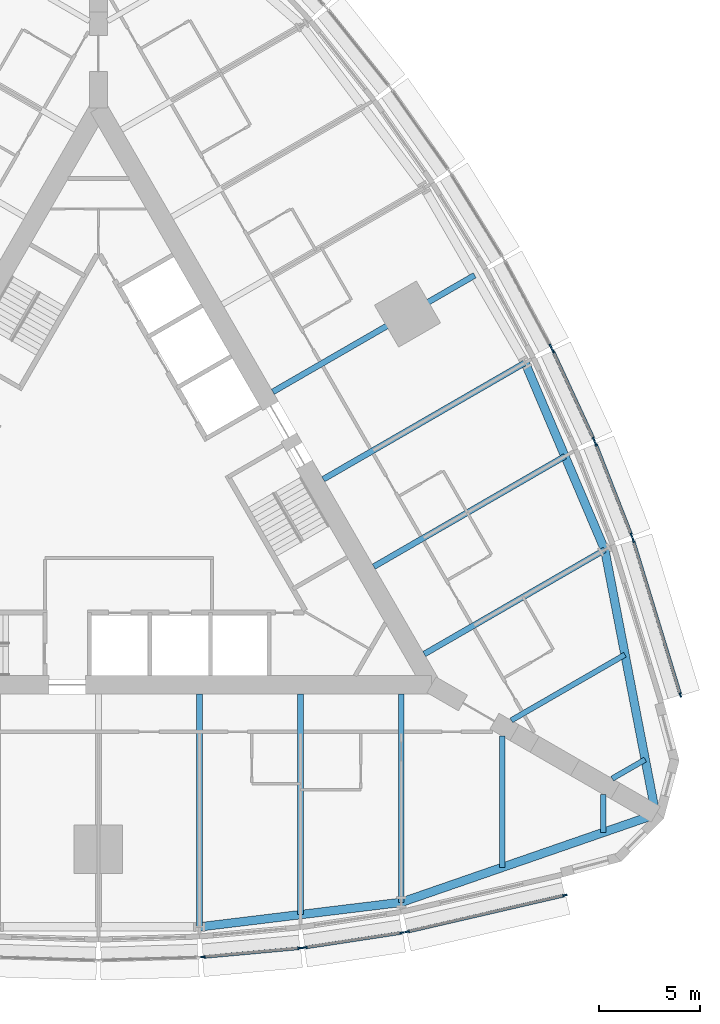
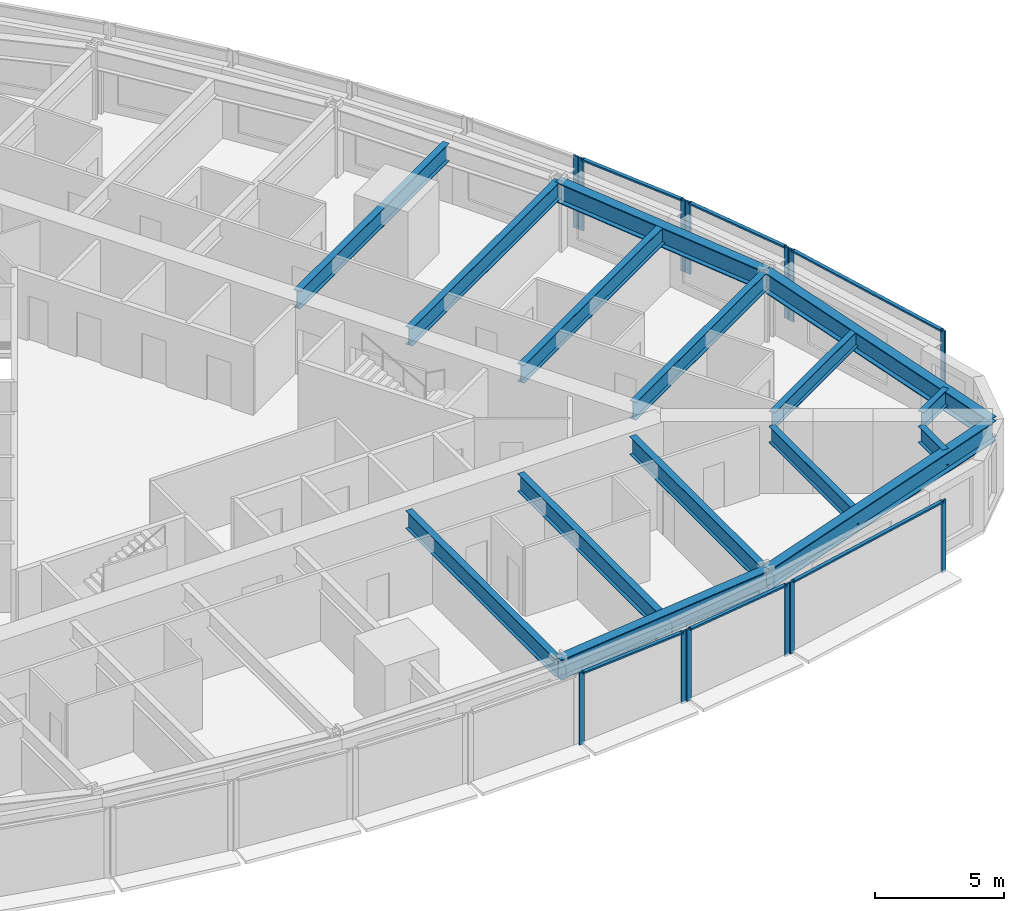
# One storey, part 3 of 14: 19 members, 15 beams, 7 elements without a shape of their own.
"""IFC4 building model written with IfcOpenShell, lengths in metres."""

from ifc_helpers import new_model, si_unit, direction, frame, origin, origin_2d, place, context, subcontext, project, spatial, rectangle, i_section, extrude, material, material_profile, profile_set, type_object, element, aggregate, save


model = new_model("IFC4")

# Units and contexts
model_context = context("Model", 3, precision=1e-05, world=origin(), true_north=direction((0.0, 1.0)))
body_context = subcontext(model_context, "Body", "Model", "MODEL_VIEW")
ifc_project = project(units=[si_unit("LENGTHUNIT", "METRE"), si_unit("AREAUNIT", "SQUARE_METRE"), si_unit("VOLUMEUNIT", "CUBIC_METRE"), si_unit("PLANEANGLEUNIT", "RADIAN"), si_unit("MASSUNIT", "GRAM", prefix="KILO")], contexts=[model_context])

# Site, building, storey
site_placement = place(None, origin())
site = spatial("IfcSite", under=ifc_project, at=site_placement, CompositionType="ELEMENT")
building_placement = place(site_placement, origin())
building = spatial("IfcBuilding", under=site, at=building_placement, Name="Trikona Tower", CompositionType="ELEMENT")
storey_placement = place(building_placement, frame((0.0, 0.0, 42.10009765625)))
storey = spatial("IfcBuildingStorey", under=building, at=storey_placement, Name="L09", CompositionType="ELEMENT", Elevation=42.10009765625)

# Curtain wall, members
ifc_material_1 = material(Name="Aluminium curtain wall system", Category="aluminium")
curtain_wall_type = type_object("IfcCurtainWallType", Name="Curtain wall DS1", PredefinedType="NOTDEFINED", material=ifc_material_1)
curtain_wall_1_placement = place(storey_placement, origin())
curtain_wall_1 = element("IfcCurtainWall", 1, at=curtain_wall_1_placement, inside=storey, type_object=curtain_wall_type, Name="Curtain wall DS1 L09", PredefinedType="NOTDEFINED")
ifc_material_2 = material(Name="Aluminium mullion, pale anodised", Category="aluminium")
ifc_material_profile_1 = material_profile(ifc_material_2, rectangle(XDim=0.080078125, YDim=0.219970703125, at=origin_2d()), Name="MUL-DS1")
ifc_profile_set_1 = profile_set([ifc_material_profile_1], Name="Aluminium mullion, pale anodised")
member_type_1 = type_object("IfcMemberType", Name="Mullion DS1 80x220", PredefinedType="MULLION", material=ifc_profile_set_1)
member_1_placement = place(storey_placement, frame((5.181396484375, -23.007568359375, 0.0), z_axis=(0.0, 0.0, 1.0), x_axis=(-0.090923932737, 0.995857840485, 0.0)))
member_1 = element("IfcMember", 2, at=member_1_placement, type_object=member_type_1, Name="CW-DS1 mullion 1", PredefinedType="MULLION", context=body_context, shape_type="SweptSolid", body=[
    extrude(rectangle(XDim=0.080078125, YDim=0.219970703125, at=origin_2d()), origin(), (0.0, 0.0, 1.0), 3.39990234375),
])
member_2_placement = place(storey_placement, frame((9.982177734375, -22.5693359375, 0.0), z_axis=(0.0, 0.0, 1.0), x_axis=(-0.090923932737, 0.995857840485, 0.0)))
member_2 = element("IfcMember", 3, at=member_2_placement, type_object=member_type_1, Name="CW-DS1 mullion 2", PredefinedType="MULLION", context=body_context, shape_type="SweptSolid", body=[
    extrude(rectangle(XDim=0.080078125, YDim=0.219970703125, at=origin_2d()), origin(), (0.0, 0.0, 1.0), 3.39990234375),
])

curtain_wall_2_placement = place(storey_placement, origin())
curtain_wall_2 = element("IfcCurtainWall", 4, at=curtain_wall_2_placement, inside=storey, type_object=curtain_wall_type, Name="Curtain wall DS1 L09", PredefinedType="NOTDEFINED")
member_3_placement = place(storey_placement, frame((10.234130859375, -22.53857421875, 0.0), z_axis=(0.0, 0.0, 1.0), x_axis=(-0.150437693845, 0.988619492156, 0.0)))
member_3 = element("IfcMember", 5, at=member_3_placement, type_object=member_type_1, Name="CW-DS1 mullion 1", PredefinedType="MULLION", context=body_context, shape_type="SweptSolid", body=[
    extrude(rectangle(XDim=0.080078125, YDim=0.219970703125, at=origin_2d()), origin(), (0.0, 0.0, 1.0), 3.39990234375),
])
member_4_placement = place(storey_placement, frame((15.03662109375, -21.807861328125, 0.0), z_axis=(0.0, 0.0, 1.0), x_axis=(-0.150437693845, 0.988619492156, 0.0)))
member_4 = element("IfcMember", 6, at=member_4_placement, type_object=member_type_1, Name="CW-DS1 mullion 2", PredefinedType="MULLION", context=body_context, shape_type="SweptSolid", body=[
    extrude(rectangle(XDim=0.080078125, YDim=0.219970703125, at=origin_2d()), origin(), (0.0, 0.0, 1.0), 3.39990234375),
])

curtain_wall_3_placement = place(storey_placement, origin())
curtain_wall_3 = element("IfcCurtainWall", 7, at=curtain_wall_3_placement, inside=storey, type_object=curtain_wall_type, Name="Curtain wall DS1 L09", PredefinedType="NOTDEFINED")
member_5_placement = place(storey_placement, frame((15.30029296875, -21.75732421875, 0.0), z_axis=(0.0, 0.0, 1.0), x_axis=(-0.225343288756, 0.974279427173, 0.0)))
member_5 = element("IfcMember", 8, at=member_5_placement, type_object=member_type_1, Name="CW-DS1 mullion 1", PredefinedType="MULLION", context=body_context, shape_type="SweptSolid", body=[
    extrude(rectangle(XDim=0.080078125, YDim=0.219970703125, at=origin_2d()), origin(), (0.0, 0.0, 1.0), 3.39990234375),
])
member_6_placement = place(storey_placement, frame((23.10546875, -19.951904296875, 0.0), z_axis=(0.0, 0.0, 1.0), x_axis=(-0.225343288756, 0.974279427173, 0.0)))
member_6 = element("IfcMember", 9, at=member_6_placement, type_object=member_type_1, Name="CW-DS1 mullion 2", PredefinedType="MULLION", context=body_context, shape_type="SweptSolid", body=[
    extrude(rectangle(XDim=0.080078125, YDim=0.219970703125, at=origin_2d()), origin(), (0.0, 0.0, 1.0), 3.39990234375),
])

curtain_wall_4_placement = place(storey_placement, origin())
curtain_wall_4 = element("IfcCurtainWall", 10, at=curtain_wall_4_placement, inside=storey, type_object=curtain_wall_type, Name="Curtain wall DS1 L09", PredefinedType="NOTDEFINED")
member_7_placement = place(storey_placement, frame((28.83154296875, -10.033935546875, 0.0), z_axis=(0.0, 0.0, 1.0), x_axis=(-0.956423115383, -0.291984287868, 0.0)))
member_7 = element("IfcMember", 11, at=member_7_placement, type_object=member_type_1, Name="CW-DS1 mullion 1", PredefinedType="MULLION", context=body_context, shape_type="SweptSolid", body=[
    extrude(rectangle(XDim=0.080078125, YDim=0.219970703125, at=origin_2d()), origin(), (0.0, 0.0, 1.0), 3.39990234375),
])
member_8_placement = place(storey_placement, frame((26.492431640625, -2.371826171875, 0.0), z_axis=(0.0, 0.0, 1.0), x_axis=(-0.956423115383, -0.291984287868, 0.0)))
member_8 = element("IfcMember", 12, at=member_8_placement, type_object=member_type_1, Name="CW-DS1 mullion 2", PredefinedType="MULLION", context=body_context, shape_type="SweptSolid", body=[
    extrude(rectangle(XDim=0.080078125, YDim=0.219970703125, at=origin_2d()), origin(), (0.0, 0.0, 1.0), 3.39990234375),
])

curtain_wall_5_placement = place(storey_placement, origin())
curtain_wall_5 = element("IfcCurtainWall", 13, at=curtain_wall_5_placement, inside=storey, type_object=curtain_wall_type, Name="Curtain wall DS1 L09", PredefinedType="NOTDEFINED")
member_9_placement = place(storey_placement, frame((26.404296875, -2.1181640625, 0.0), z_axis=(0.0, 0.0, 1.0), x_axis=(-0.931395989443, -0.36400756977, 0.0)))
member_9 = element("IfcMember", 14, at=member_9_placement, type_object=member_type_1, Name="CW-DS1 mullion 1", PredefinedType="MULLION", context=body_context, shape_type="SweptSolid", body=[
    extrude(rectangle(XDim=0.080078125, YDim=0.219970703125, at=origin_2d()), origin(), (0.0, 0.0, 1.0), 3.39990234375),
])
member_10_placement = place(storey_placement, frame((24.63623046875, 2.40625, 0.0), z_axis=(0.0, 0.0, 1.0), x_axis=(-0.931395989443, -0.36400756977, 0.0)))
member_10 = element("IfcMember", 15, at=member_10_placement, type_object=member_type_1, Name="CW-DS1 mullion 2", PredefinedType="MULLION", context=body_context, shape_type="SweptSolid", body=[
    extrude(rectangle(XDim=0.080078125, YDim=0.219970703125, at=origin_2d()), origin(), (0.0, 0.0, 1.0), 3.39990234375),
])

curtain_wall_6_placement = place(storey_placement, origin())
curtain_wall_6 = element("IfcCurtainWall", 16, at=curtain_wall_6_placement, inside=storey, type_object=curtain_wall_type, Name="Curtain wall DS1 L09", PredefinedType="NOTDEFINED")
member_11_placement = place(storey_placement, frame((24.53662109375, 2.6396484375, 0.0), z_axis=(0.0, 0.0, 1.0), x_axis=(-0.907898459992, -0.419190155352, 0.0)))
member_11 = element("IfcMember", 17, at=member_11_placement, type_object=member_type_1, Name="CW-DS1 mullion 1", PredefinedType="MULLION", context=body_context, shape_type="SweptSolid", body=[
    extrude(rectangle(XDim=0.080078125, YDim=0.219970703125, at=origin_2d()), origin(), (0.0, 0.0, 1.0), 3.39990234375),
])
member_12_placement = place(storey_placement, frame((22.515869140625, 7.0166015625, 0.0), z_axis=(0.0, 0.0, 1.0), x_axis=(-0.907898459992, -0.419190155352, 0.0)))
member_12 = element("IfcMember", 18, at=member_12_placement, type_object=member_type_1, Name="CW-DS1 mullion 2", PredefinedType="MULLION", context=body_context, shape_type="SweptSolid", body=[
    extrude(rectangle(XDim=0.080078125, YDim=0.219970703125, at=origin_2d()), origin(), (0.0, 0.0, 1.0), 3.39990234375),
])

# Curtain wall, member
curtain_wall_7_placement = place(storey_placement, origin())
curtain_wall_7 = element("IfcCurtainWall", 19, at=curtain_wall_7_placement, inside=storey, type_object=curtain_wall_type, Name="Curtain wall DS1 L09", PredefinedType="NOTDEFINED")
member_13_placement = place(storey_placement, frame((22.402099609375, 7.244140625, 0.0), z_axis=(0.0, 0.0, 1.0), x_axis=(-0.880843080975, -0.473408350896, 0.0)))
member_13 = element("IfcMember", 20, at=member_13_placement, type_object=member_type_1, Name="CW-DS1 mullion 1", PredefinedType="MULLION", context=body_context, shape_type="SweptSolid", body=[
    extrude(rectangle(XDim=0.080078125, YDim=0.219970703125, at=origin_2d()), origin(), (0.0, 0.0, 1.0), 3.39990234375),
])
aggregate(curtain_wall_7, [member_13])

# Beams
ifc_material_3 = material(Name="Steel ASTM A992 Grade 50", Category="steel")
ifc_material_profile_2 = material_profile(ifc_material_3, i_section(OverallWidth=0.2666015625, OverallDepth=0.76953125, WebThickness=0.015625, FlangeThickness=0.025390625, at=origin_2d()), Name="W30X132")
ifc_profile_set_2 = profile_set([ifc_material_profile_2], Name="Steel ASTM A992 Grade 50")
beam_type_1 = type_object("IfcBeamType", Name="Steel beam W30x132 (wedge)", PredefinedType="BEAM", material=ifc_profile_set_2)
beam_1_placement = place(storey_placement, frame((20.0, -12.066650390625, 2.85009765625), z_axis=(0.0, -1.0, 0.0), x_axis=(1.0, 0.0, 0.0)))
element("IfcBeam", 21, at=beam_1_placement, inside=storey, type_object=beam_type_1, Name="Floor beam L10 F1 u20", PredefinedType="BEAM", context=body_context, shape_type="SweptSolid", body=[
    extrude(i_section(OverallWidth=0.2666015625, OverallDepth=0.76953125, WebThickness=0.015625, FlangeThickness=0.025390625, at=origin_2d()), origin(), (0.0, 0.0, 1.0), 6.5068359375),
])
for number, where, z_axis, x_axis, name in (
    (22, (25.0, -14.953369140625, 2.85009765625), (0.0, -1.0, 0.0), (1.0, 0.0, 0.0), "Floor beam L10 F1 u25"),
    (23, (25.449951171875, -14.173828125, 2.85009765625), (0.866065156741, 0.499931139538, 0.0), (-0.499931139538, 0.866065156741, 0.0), "Floor beam L10 F2 u-25"),
):
    element("IfcBeam", number, at=place(storey_placement, frame(where, z_axis=z_axis, x_axis=x_axis)), inside=storey, type_object=beam_type_1, Name=name, PredefinedType="BEAM", context=body_context, shape_type="SweptSolid", body=[
        extrude(i_section(OverallWidth=0.2666015625, OverallDepth=0.76953125, WebThickness=0.015625, FlangeThickness=0.025390625, at=origin_2d()), origin(), (0.0, 0.0, 1.0), 1.890380859375),
    ])
beam_2_placement = place(storey_placement, frame((20.449951171875, -11.287109375, 2.85009765625), z_axis=(0.866022504693, 0.50000502134, 0.0), x_axis=(-0.50000502134, 0.866022504693, 0.0)))
element("IfcBeam", 24, at=beam_2_placement, inside=storey, type_object=beam_type_1, Name="Floor beam L10 F2 u-20", PredefinedType="BEAM", context=body_context, shape_type="SweptSolid", body=[
    extrude(i_section(OverallWidth=0.2666015625, OverallDepth=0.76953125, WebThickness=0.015625, FlangeThickness=0.025390625, at=origin_2d()), origin(), (0.0, 0.0, 1.0), 6.5068359375),
])
ifc_material_4 = material(Name="Steel ASTM A992 Grade 50", Category="steel")
ifc_material_profile_3 = material_profile(ifc_material_4, i_section(OverallWidth=0.2919921875, OverallDepth=0.845703125, WebThickness=0.015380859375, FlangeThickness=0.0244140625, at=origin_2d()), Name="W33X141")
ifc_profile_set_3 = profile_set([ifc_material_profile_3], Name="Steel ASTM A992 Grade 50")
beam_type_2 = type_object("IfcBeamType", Name="Steel beam W33x141 (radial typ)", PredefinedType="BEAM", material=ifc_profile_set_3)
beam_3_placement = place(storey_placement, frame((5.0, -9.976318359375, 2.81201171875), z_axis=(0.0, -1.0, 0.0), x_axis=(1.0, 0.0, 0.0)))
element("IfcBeam", 25, at=beam_3_placement, inside=storey, type_object=beam_type_2, Name="Floor beam L10 F1 u5", PredefinedType="BEAM", context=body_context, shape_type="SweptSolid", body=[
    extrude(i_section(OverallWidth=0.2919921875, OverallDepth=0.845703125, WebThickness=0.015380859375, FlangeThickness=0.0244140625, at=origin_2d()), origin(), (0.0, 0.0, 1.0), 11.544189453125),
])
beam_4_placement = place(storey_placement, frame((10.0, -9.976318359375, 2.81201171875), z_axis=(0.0, -1.0, 0.0), x_axis=(1.0, 0.0, 0.0)))
element("IfcBeam", 26, at=beam_4_placement, inside=storey, type_object=beam_type_2, Name="Floor beam L10 F1 u10", PredefinedType="BEAM", context=body_context, shape_type="SweptSolid", body=[
    extrude(i_section(OverallWidth=0.2919921875, OverallDepth=0.845703125, WebThickness=0.015380859375, FlangeThickness=0.0244140625, at=origin_2d()), origin(), (0.0, 0.0, 1.0), 10.935302734375),
])
beam_5_placement = place(storey_placement, frame((15.0, -9.976318359375, 2.81201171875), z_axis=(0.0, -1.0, 0.0), x_axis=(1.0, 0.0, 0.0)))
element("IfcBeam", 27, at=beam_5_placement, inside=storey, type_object=beam_type_2, Name="Floor beam L10 F1 u15", PredefinedType="BEAM", context=body_context, shape_type="SweptSolid", body=[
    extrude(i_section(OverallWidth=0.2919921875, OverallDepth=0.845703125, WebThickness=0.015380859375, FlangeThickness=0.0244140625, at=origin_2d()), origin(), (0.0, 0.0, 1.0), 10.32666015625),
])
beam_6_placement = place(storey_placement, frame((16.1396484375, -8.002197265625, 2.81201171875), z_axis=(0.866030471684, 0.499991222037, 0.0), x_axis=(-0.499991222037, 0.866030471684, 0.0)))
element("IfcBeam", 28, at=beam_6_placement, inside=storey, type_object=beam_type_2, Name="Floor beam L10 F2 u-15", PredefinedType="BEAM", context=body_context, shape_type="SweptSolid", body=[
    extrude(i_section(OverallWidth=0.2919921875, OverallDepth=0.845703125, WebThickness=0.015380859375, FlangeThickness=0.0244140625, at=origin_2d()), origin(), (0.0, 0.0, 1.0), 10.326904296875),
])
beam_7_placement = place(storey_placement, frame((13.6396484375, -3.672119140625, 2.81201171875), z_axis=(0.866025348605, 0.500000095573, 0.0), x_axis=(-0.500000095573, 0.866025348605, 0.0)))
element("IfcBeam", 29, at=beam_7_placement, inside=storey, type_object=beam_type_2, Name="Floor beam L10 F2 u-10", PredefinedType="BEAM", context=body_context, shape_type="SweptSolid", body=[
    extrude(i_section(OverallWidth=0.2919921875, OverallDepth=0.845703125, WebThickness=0.015380859375, FlangeThickness=0.0244140625, at=origin_2d()), origin(), (0.0, 0.0, 1.0), 10.935546875),
])
for number, where, z_axis, x_axis, name in (
    (30, (11.1396484375, 0.657958984375, 2.81201171875), (0.866020765707, 0.500008033299, 0.0), (-0.500008033299, 0.866020765707, 0.0), "Floor beam L10 F2 u-5"),
    (31, (8.6396484375, 4.988037109375, 2.81201171875), (0.866020765707, 0.500008033299, 0.0), (-0.500008033299, 0.866020765707, 0.0), "Floor beam L10 F2 u0"),
):
    element("IfcBeam", number, at=place(storey_placement, frame(where, z_axis=z_axis, x_axis=x_axis)), inside=storey, type_object=beam_type_2, Name=name, PredefinedType="BEAM", context=body_context, shape_type="SweptSolid", body=[
        extrude(i_section(OverallWidth=0.2919921875, OverallDepth=0.845703125, WebThickness=0.015380859375, FlangeThickness=0.0244140625, at=origin_2d()), origin(), (0.0, 0.0, 1.0), 11.544189453125),
    ])
ifc_material_5 = material(Name="Steel ASTM A992 Grade 50", Category="steel")
ifc_material_profile_4 = material_profile(ifc_material_5, i_section(OverallWidth=0.424072265625, OverallDepth=0.947509765625, WebThickness=0.02392578125, FlangeThickness=0.042724609375, at=origin_2d()), Name="W36X302")
ifc_profile_set_4 = profile_set([ifc_material_profile_4], Name="Steel ASTM A992 Grade 50")
beam_type_3 = type_object("IfcBeamType", Name="Steel beam W36x302 (spandrel)", PredefinedType="SPANDREL", material=ifc_profile_set_4)
beam_8_placement = place(storey_placement, frame((5.0, -21.5205078125, 2.76123046875), z_axis=(0.99266951126, 0.120860421207, 0.0), x_axis=(-0.120860421207, 0.99266951126, 0.0)))
element("IfcBeam", 32, at=beam_8_placement, inside=storey, type_object=beam_type_3, Name="Spandrel beam L10 F1-4", PredefinedType="SPANDREL", context=body_context, shape_type="SweptSolid", body=[
    extrude(i_section(OverallWidth=0.424072265625, OverallDepth=0.947509765625, WebThickness=0.02392578125, FlangeThickness=0.042724609375, at=origin_2d()), origin(), (0.0, 0.0, 1.0), 10.07373046875),
])
for number, where, z_axis, x_axis, name in (
    (33, (15.0, -20.302978515625, 2.76123046875), (0.945056965739, 0.326905692071, 0.0), (-0.326905692071, 0.945056965739, 0.0), "Spandrel beam L10 F1-5"),
    (34, (27.6103515625, -15.94091796875, 2.76123046875), (-0.189405184036, 0.981899015307, 0.0), (-0.981899015307, -0.189405184036, 0.0), "Spandrel beam L10 F2-1"),
):
    element("IfcBeam", number, at=place(storey_placement, frame(where, z_axis=z_axis, x_axis=x_axis)), inside=storey, type_object=beam_type_3, Name=name, PredefinedType="SPANDREL", context=body_context, shape_type="SweptSolid", body=[
        extrude(i_section(OverallWidth=0.424072265625, OverallDepth=0.947509765625, WebThickness=0.02392578125, FlangeThickness=0.042724609375, at=origin_2d()), origin(), (0.0, 0.0, 1.0), 13.343505859375),
    ])
beam_9_placement = place(storey_placement, frame((25.0830078125, -2.8388671875, 2.76123046875), z_axis=(-0.391683514847, 0.920100007715, 0.0), x_axis=(-0.920100007715, -0.391683514847, 0.0)))
element("IfcBeam", 35, at=beam_9_placement, inside=storey, type_object=beam_type_3, Name="Spandrel beam L10 F2-2", PredefinedType="SPANDREL", context=body_context, shape_type="SweptSolid", body=[
    extrude(i_section(OverallWidth=0.424072265625, OverallDepth=0.947509765625, WebThickness=0.02392578125, FlangeThickness=0.042724609375, at=origin_2d()), origin(), (0.0, 0.0, 1.0), 10.073974609375),
])

# Member
ifc_material_6 = material(Name="Aluminium transom, pale anodised", Category="aluminium")
ifc_material_profile_5 = material_profile(ifc_material_6, rectangle(XDim=0.159912109375, YDim=0.080078125, at=origin_2d()), Name="TRN-DS1")
ifc_profile_set_5 = profile_set([ifc_material_profile_5], Name="Aluminium transom, pale anodised")
member_type_2 = type_object("IfcMemberType", Name="Transom DS1 80x160", PredefinedType="USERDEFINED", material=ifc_profile_set_5)
member_14_placement = place(storey_placement, frame((5.22119140625, -23.00390625, 3.35986328125), z_axis=(0.995855977008, 0.090944340438, 0.0), x_axis=(-0.090944340438, 0.995855977008, 0.0)))
member_14 = element("IfcMember", 36, at=member_14_placement, type_object=member_type_2, Name="CW-DS1 transom 1.1", ObjectType="TRANSOM", PredefinedType="USERDEFINED", context=body_context, shape_type="SweptSolid", body=[
    extrude(rectangle(XDim=0.159912109375, YDim=0.080078125, at=origin_2d()), origin(), (0.0, 0.0, 1.0), 4.74072265625),
])

aggregate(curtain_wall_1, [member_1, member_2, member_14])

member_15_placement = place(storey_placement, frame((10.273681640625, -22.532470703125, 3.35986328125), z_axis=(0.988619663412, 0.150436568413, 0.0), x_axis=(-0.150436568413, 0.988619663412, 0.0)))
member_15 = element("IfcMember", 37, at=member_15_placement, type_object=member_type_2, Name="CW-DS1 transom 1.1", ObjectType="TRANSOM", PredefinedType="USERDEFINED", context=body_context, shape_type="SweptSolid", body=[
    extrude(rectangle(XDim=0.159912109375, YDim=0.080078125, at=origin_2d()), origin(), (0.0, 0.0, 1.0), 4.77783203125),
])

aggregate(curtain_wall_2, [member_3, member_4, member_15])

member_16_placement = place(storey_placement, frame((15.33935546875, -21.748291015625, 3.35986328125), z_axis=(0.974275371842, 0.225360821398, 0.0), x_axis=(-0.225360821398, 0.974275371842, 0.0)))
member_16 = element("IfcMember", 38, at=member_16_placement, type_object=member_type_2, Name="CW-DS1 transom 1.1", ObjectType="TRANSOM", PredefinedType="USERDEFINED", context=body_context, shape_type="SweptSolid", body=[
    extrude(rectangle(XDim=0.159912109375, YDim=0.080078125, at=origin_2d()), origin(), (0.0, 0.0, 1.0), 7.93115234375),
])

aggregate(curtain_wall_3, [member_5, member_6, member_16])

member_17_placement = place(storey_placement, frame((28.81982421875, -9.99560546875, 3.35986328125), z_axis=(-0.291967490203, 0.956428243343, 0.0), x_axis=(-0.956428243343, -0.291967490203, 0.0)))
member_17 = element("IfcMember", 39, at=member_17_placement, type_object=member_type_2, Name="CW-DS1 transom 1.1", ObjectType="TRANSOM", PredefinedType="USERDEFINED", context=body_context, shape_type="SweptSolid", body=[
    extrude(rectangle(XDim=0.159912109375, YDim=0.080078125, at=origin_2d()), origin(), (0.0, 0.0, 1.0), 7.93115234375),
])

aggregate(curtain_wall_4, [member_7, member_8, member_17])

member_18_placement = place(storey_placement, frame((26.389892578125, -2.080810546875, 3.35986328125), z_axis=(-0.364048647668, 0.931379934362, 0.0), x_axis=(-0.931379934362, -0.364048647668, 0.0)))
member_18 = element("IfcMember", 40, at=member_18_placement, type_object=member_type_2, Name="CW-DS1 transom 1.1", ObjectType="TRANSOM", PredefinedType="USERDEFINED", context=body_context, shape_type="SweptSolid", body=[
    extrude(rectangle(XDim=0.159912109375, YDim=0.080078125, at=origin_2d()), origin(), (0.0, 0.0, 1.0), 4.777587890625),
])

aggregate(curtain_wall_5, [member_9, member_10, member_18])

member_19_placement = place(storey_placement, frame((24.52001953125, 2.676025390625, 3.35986328125), z_axis=(-0.419188800665, 0.90789908547, 0.0), x_axis=(-0.90789908547, -0.419188800665, 0.0)))
member_19 = element("IfcMember", 41, at=member_19_placement, type_object=member_type_2, Name="CW-DS1 transom 1.1", ObjectType="TRANSOM", PredefinedType="USERDEFINED", context=body_context, shape_type="SweptSolid", body=[
    extrude(rectangle(XDim=0.159912109375, YDim=0.080078125, at=origin_2d()), origin(), (0.0, 0.0, 1.0), 4.74072265625),
])

aggregate(curtain_wall_6, [member_11, member_12, member_19])

save(model, "model.ifc")
